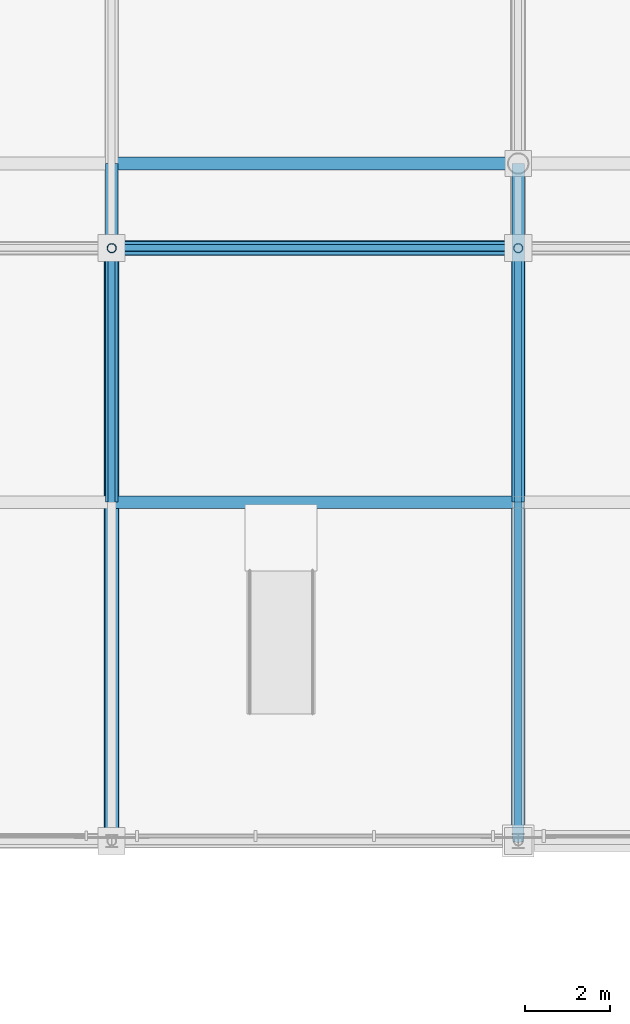
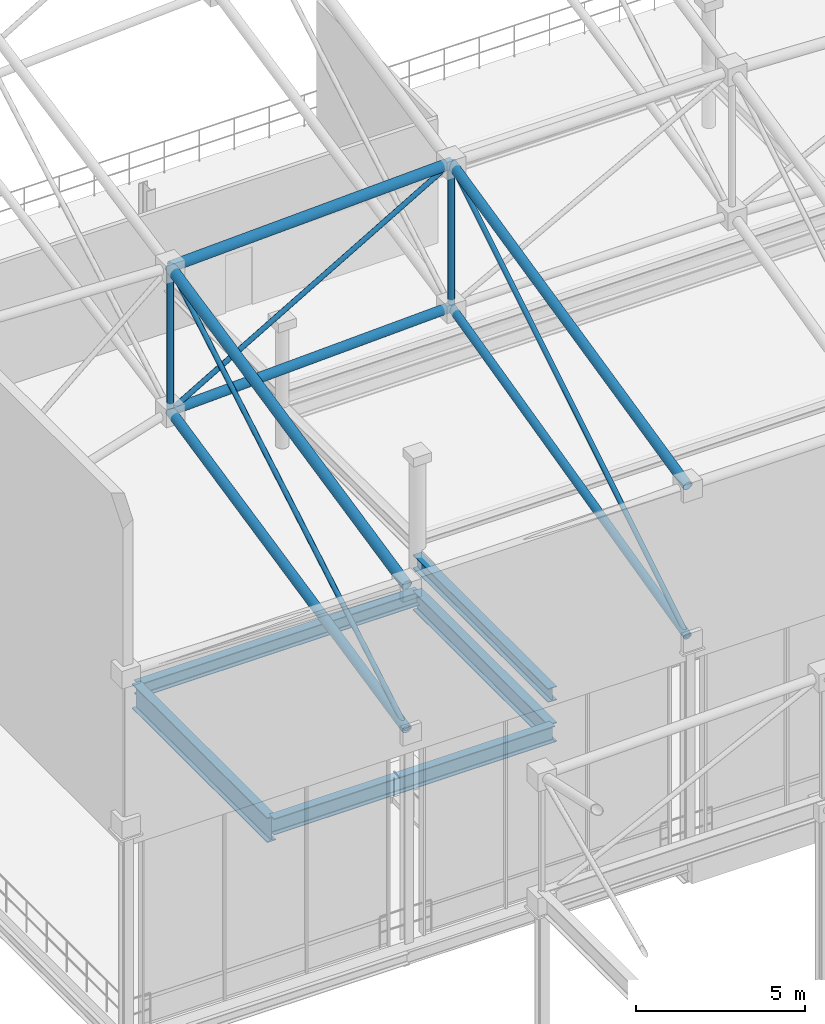
# One storey, part 101 of 193: 11 members, 5 beams.
"""IFC4 building model written with IfcOpenShell, lengths in metres."""

from ifc_helpers import new_model, si_unit, direction, frame, origin, origin_2d, place, context, subcontext, project, spatial, hollow_circle, i_section, extrude, material, material_profile, profile_set, type_object, element, save


model = new_model("IFC4")

# Units and contexts
model_context = context("Model", 3, precision=1e-05, world=origin(), true_north=direction((0.0, 1.0)))
body_context = subcontext(model_context, "Body", "Model", "MODEL_VIEW")
ifc_project = project(units=[si_unit("LENGTHUNIT", "METRE"), si_unit("AREAUNIT", "SQUARE_METRE"), si_unit("VOLUMEUNIT", "CUBIC_METRE"), si_unit("PLANEANGLEUNIT", "RADIAN"), si_unit("MASSUNIT", "GRAM", prefix="KILO")], contexts=[model_context])

# Site, building, storey
site_placement = place(None, origin())
site = spatial("IfcSite", under=ifc_project, at=site_placement, CompositionType="ELEMENT")
building_placement = place(site_placement, origin())
building = spatial("IfcBuilding", under=site, at=building_placement, Name="Danafjord Basin Convention Centre", CompositionType="ELEMENT")
storey_placement = place(building_placement, frame((0.0, 0.0, 11.39990234375)))
storey = spatial("IfcBuildingStorey", under=building, at=storey_placement, Name="L02", CompositionType="ELEMENT", Elevation=11.39990234375)

# Beams
ifc_material = material(Name="Steel S355", Category="steel")
ifc_material_profile_1 = material_profile(ifc_material, i_section(OverallWidth=0.300048828125, OverallDepth=0.489990234375, WebThickness=0.011962890625, FlangeThickness=0.02294921875, FilletRadius=0.027099609375, at=origin_2d()), Name="HEA 500")
ifc_profile_set_1 = profile_set([ifc_material_profile_1], Name="Steel S355")
beam_type_1 = type_object("IfcBeamType", Name="BEAM-BM-HEA500", PredefinedType="BEAM", material=ifc_profile_set_1)
beam_1_placement = place(storey_placement, frame((144.0, 104.0, -0.60498046875), z_axis=(1.0, 0.0, 0.0), x_axis=(0.0, 1.0, 0.0)))
element("IfcBeam", 1, at=beam_1_placement, inside=storey, type_object=beam_type_1, Name="L02 girder BM-HEA500", PredefinedType="BEAM", context=body_context, shape_type="SweptSolid", body=[
    extrude(i_section(OverallWidth=0.300048828125, OverallDepth=0.489990234375, WebThickness=0.011962890625, FlangeThickness=0.02294921875, FilletRadius=0.027099609375, at=origin_2d()), origin(), (0.0, 0.0, 1.0), 9.60009765625),
])
ifc_material_profile_2 = material_profile(ifc_material, i_section(OverallWidth=0.300048828125, OverallDepth=0.590087890625, WebThickness=0.012939453125, FlangeThickness=0.02490234375, FilletRadius=0.027099609375, at=origin_2d()), Name="HEA 600")
ifc_profile_set_2 = profile_set([ifc_material_profile_2], Name="Steel S355")
beam_type_2 = type_object("IfcBeamType", Name="BEAM-BM-HEA600", PredefinedType="BEAM", material=ifc_profile_set_2)
beam_2_placement = place(storey_placement, frame((144.0, 96.0, -0.65478515625), z_axis=(1.0, 0.0, 0.0), x_axis=(0.0, 1.0, 0.0)))
element("IfcBeam", 2, at=beam_2_placement, inside=storey, type_object=beam_type_2, Name="L02 girder BM-HEA600", PredefinedType="BEAM", context=body_context, shape_type="SweptSolid", body=[
    extrude(i_section(OverallWidth=0.300048828125, OverallDepth=0.590087890625, WebThickness=0.012939453125, FlangeThickness=0.02490234375, FilletRadius=0.027099609375, at=origin_2d()), origin(), (0.0, 0.0, 1.0), 9.60009765625),
])
ifc_material_profile_3 = material_profile(ifc_material, i_section(OverallWidth=0.300048828125, OverallDepth=0.5, WebThickness=0.014404296875, FlangeThickness=0.028076171875, FilletRadius=0.027099609375, at=origin_2d()), Name="HEB 500")
ifc_profile_set_3 = profile_set([ifc_material_profile_3], Name="Steel S355")
beam_type_3 = type_object("IfcBeamType", Name="BEAM-BM-HEB500", PredefinedType="BEAM", material=ifc_profile_set_3)
beam_3_placement = place(storey_placement, frame((153.60009765625, 96.0, 0.690185546875), z_axis=(0.0, 1.0, 0.0), x_axis=(-1.0, 0.0, 0.0)))
element("IfcBeam", 3, at=beam_3_placement, inside=storey, type_object=beam_type_3, Name="Balcony tier carrier girder", PredefinedType="BEAM", context=body_context, shape_type="SweptSolid", body=[
    extrude(i_section(OverallWidth=0.300048828125, OverallDepth=0.5, WebThickness=0.014404296875, FlangeThickness=0.028076171875, FilletRadius=0.027099609375, at=origin_2d()), origin(), (0.0, 0.0, 1.0), 8.0),
])
ifc_material_profile_4 = material_profile(ifc_material, i_section(OverallWidth=0.300048828125, OverallDepth=0.699951171875, WebThickness=0.01708984375, FlangeThickness=0.031982421875, FilletRadius=0.027099609375, at=origin_2d()), Name="HEB 700")
ifc_profile_set_4 = profile_set([ifc_material_profile_4], Name="Steel S355")
beam_type_4 = type_object("IfcBeamType", Name="BEAM-BM-HEB700", PredefinedType="BEAM", material=ifc_profile_set_4)
beam_4_placement = place(storey_placement, frame((153.60009765625, 96.0, -0.7099609375), z_axis=(0.0, 1.0, 0.0), x_axis=(-1.0, 0.0, 0.0)))
element("IfcBeam", 4, at=beam_4_placement, inside=storey, type_object=beam_type_4, Name="L02 transverse girder BM-HEB700", PredefinedType="BEAM", context=body_context, shape_type="SweptSolid", body=[
    extrude(i_section(OverallWidth=0.300048828125, OverallDepth=0.699951171875, WebThickness=0.01708984375, FlangeThickness=0.031982421875, FilletRadius=0.027099609375, at=origin_2d()), origin(), (0.0, 0.0, 1.0), 8.0),
])
ifc_material_profile_5 = material_profile(ifc_material, i_section(OverallWidth=0.300048828125, OverallDepth=0.89990234375, WebThickness=0.0185546875, FlangeThickness=0.034912109375, FilletRadius=0.030029296875, at=origin_2d()), Name="HEB 900")
ifc_profile_set_5 = profile_set([ifc_material_profile_5], Name="Steel S355")
beam_type_5 = type_object("IfcBeamType", Name="BEAM-BM-HEB900", PredefinedType="BEAM", material=ifc_profile_set_5)
beam_5_placement = place(storey_placement, frame((144.0, 96.0, -0.809814453125), z_axis=(0.0, 1.0, 0.0), x_axis=(-1.0, 0.0, 0.0)))
element("IfcBeam", 5, at=beam_5_placement, inside=storey, type_object=beam_type_5, Name="L02 transverse girder BM-HEB900", PredefinedType="BEAM", context=body_context, shape_type="SweptSolid", body=[
    extrude(i_section(OverallWidth=0.300048828125, OverallDepth=0.89990234375, WebThickness=0.0185546875, FlangeThickness=0.034912109375, FilletRadius=0.030029296875, at=origin_2d()), origin(), (0.0, 0.0, 1.0), 8.0),
])

# Members
ifc_material_profile_6 = material_profile(ifc_material, hollow_circle(Radius=0.136474609375, WallThickness=0.012451171875, at=origin_2d()), Name="CHS 273.0x12.5")
ifc_profile_set_6 = profile_set([ifc_material_profile_6], Name="Steel S355")
member_type_1 = type_object("IfcMemberType", Name="MEM-CH-CHS273", PredefinedType="CHORD", material=ifc_profile_set_6)
member_1_placement = place(storey_placement, frame((153.60009765625, 88.0, 7.650146484375), z_axis=(0.0, 0.971599626019, 0.236630865949), x_axis=(-1.0, 0.0, 0.0)))
element("IfcMember", 6, at=member_1_placement, inside=storey, type_object=member_type_1, Name="V2 roof truss transverse bottom chord", PredefinedType="CHORD", context=body_context, shape_type="SweptSolid", body=[
    extrude(hollow_circle(Radius=0.136474609375, WallThickness=0.012451171875, at=origin_2d()), origin(), (0.0, 0.0, 1.0), 14.4091796875),
])
ifc_material_profile_7 = material_profile(ifc_material, hollow_circle(Radius=0.161865234375, WallThickness=0.01611328125, at=origin_2d()), Name="CHS 323.9x16.0")
ifc_profile_set_7 = profile_set([ifc_material_profile_7], Name="Steel S355")
member_type_2 = type_object("IfcMemberType", Name="MEM-CH-CHS324", PredefinedType="CHORD", material=ifc_profile_set_7)
member_2_placement = place(storey_placement, frame((144.0, 88.0, 7.650146484375), z_axis=(0.0, 0.977574816631, 0.210588408724), x_axis=(-1.0, 0.0, 0.0)))
element("IfcMember", 7, at=member_2_placement, inside=storey, type_object=member_type_2, Name="V2 roof truss transverse bottom chord", PredefinedType="CHORD", context=body_context, shape_type="SweptSolid", body=[
    extrude(hollow_circle(Radius=0.161865234375, WallThickness=0.01611328125, at=origin_2d()), origin(), (0.0, 0.0, 1.0), 14.321044921875),
])
member_3_placement = place(storey_placement, frame((144.0, 102.0, 10.666015625), z_axis=(0.999159728014, 0.0, 0.040985825779), x_axis=(0.0, 1.0, 0.0)))
element("IfcMember", 8, at=member_3_placement, inside=storey, type_object=member_type_2, Name="V2 roof truss longitudinal bottom chord", PredefinedType="CHORD", context=body_context, shape_type="SweptSolid", body=[
    extrude(hollow_circle(Radius=0.161865234375, WallThickness=0.01611328125, at=origin_2d()), origin(), (0.0, 0.0, 1.0), 9.608154296875),
])
member_4_placement = place(storey_placement, frame((153.60009765625, 88.0, 13.0751953125), z_axis=(0.0, 0.975087736104, 0.221819536786), x_axis=(-1.0, 0.0, 0.0)))
element("IfcMember", 9, at=member_4_placement, inside=storey, type_object=member_type_2, Name="V2 roof truss transverse top chord", PredefinedType="CHORD", context=body_context, shape_type="SweptSolid", body=[
    extrude(hollow_circle(Radius=0.161865234375, WallThickness=0.01611328125, at=origin_2d()), origin(), (0.0, 0.0, 1.0), 14.357666015625),
])
ifc_material_profile_8 = material_profile(ifc_material, hollow_circle(Radius=0.177734375, WallThickness=0.01611328125, at=origin_2d()), Name="CHS 355.6x16.0")
ifc_profile_set_8 = profile_set([ifc_material_profile_8], Name="Steel S355")
member_type_3 = type_object("IfcMemberType", Name="MEM-CH-CHS355", PredefinedType="CHORD", material=ifc_profile_set_8)
member_5_placement = place(storey_placement, frame((144.0, 88.0, 12.85009765625), z_axis=(0.0, 0.977571306998, 0.210604700172), x_axis=(-1.0, 0.0, 0.0)))
element("IfcMember", 10, at=member_5_placement, inside=storey, type_object=member_type_3, Name="V2 roof truss transverse top chord", PredefinedType="CHORD", context=body_context, shape_type="SweptSolid", body=[
    extrude(hollow_circle(Radius=0.177734375, WallThickness=0.01611328125, at=origin_2d()), origin(), (0.0, 0.0, 1.0), 14.3212890625),
])
member_6_placement = place(storey_placement, frame((144.0, 102.0, 15.8662109375), z_axis=(0.999159728014, 0.0, 0.040985825779), x_axis=(0.0, 1.0, 0.0)))
element("IfcMember", 11, at=member_6_placement, inside=storey, type_object=member_type_3, Name="V2 roof truss longitudinal top chord", PredefinedType="CHORD", context=body_context, shape_type="SweptSolid", body=[
    extrude(hollow_circle(Radius=0.177734375, WallThickness=0.01611328125, at=origin_2d()), origin(), (0.0, 0.0, 1.0), 9.608154296875),
])
ifc_material_profile_9 = material_profile(ifc_material, hollow_circle(Radius=0.109619140625, WallThickness=0.010009765625, at=origin_2d()), Name="CHS 219.1x10.0")
ifc_profile_set_9 = profile_set([ifc_material_profile_9], Name="Steel S355")
member_type_4 = type_object("IfcMemberType", Name="MEM-ST-CHS219", PredefinedType="STRUT", material=ifc_profile_set_9)
for number, where, z_axis, x_axis, name in (
    (12, (144.0, 102.0, 10.666015625), (0.0, 0.0, 1.0), (1.0, 0.0, 0.0), "V2 roof truss vertical strut"),
    (13, (153.60009765625, 102.0, 11.059814453125), (0.0, 0.0, 1.0), (1.0, 0.0, 0.0), "V2 roof truss vertical strut"),
):
    element("IfcMember", number, at=place(storey_placement, frame(where, z_axis=z_axis, x_axis=x_axis)), inside=storey, type_object=member_type_4, Name=name, PredefinedType="STRUT", context=body_context, shape_type="SweptSolid", body=[
        extrude(hollow_circle(Radius=0.109619140625, WallThickness=0.010009765625, at=origin_2d()), origin(), (0.0, 0.0, 1.0), 5.2001953125),
    ])
ifc_material_profile_10 = material_profile(ifc_material, hollow_circle(Radius=0.084228515625, WallThickness=0.008056640625, at=origin_2d()), Name="CHS 168.3x8.0")
ifc_profile_set_10 = profile_set([ifc_material_profile_10], Name="Steel S355")
member_type_5 = type_object("IfcMemberType", Name="MEM-WB-CHS168", PredefinedType="MEMBER", material=ifc_profile_set_10)
member_7_placement = place(storey_placement, frame((144.0, 88.0, 7.650146484375), z_axis=(0.0, 0.862451465238, 0.506139773292), x_axis=(-1.0, 0.0, 0.0)))
element("IfcMember", 14, at=member_7_placement, inside=storey, type_object=member_type_5, Name="V2 space-frame transverse web", PredefinedType="MEMBER", context=body_context, shape_type="SweptSolid", body=[
    extrude(hollow_circle(Radius=0.084228515625, WallThickness=0.008056640625, at=origin_2d()), origin(), (0.0, 0.0, 1.0), 16.23291015625),
])
member_8_placement = place(storey_placement, frame((144.0, 102.0, 10.666015625), z_axis=(0.864016293861, 0.0, 0.503463845716), x_axis=(0.0, 1.0, 0.0)))
element("IfcMember", 15, at=member_8_placement, inside=storey, type_object=member_type_5, Name="V2 space-frame longitudinal web", PredefinedType="MEMBER", context=body_context, shape_type="SweptSolid", body=[
    extrude(hollow_circle(Radius=0.084228515625, WallThickness=0.008056640625, at=origin_2d()), origin(), (0.0, 0.0, 1.0), 11.111083984375),
])
member_9_placement = place(storey_placement, frame((153.60009765625, 88.0, 7.650146484375), z_axis=(0.0, 0.851808227972, 0.523853741763), x_axis=(-1.0, 0.0, 0.0)))
element("IfcMember", 16, at=member_9_placement, inside=storey, type_object=member_type_5, Name="V2 space-frame transverse web", PredefinedType="MEMBER", context=body_context, shape_type="SweptSolid", body=[
    extrude(hollow_circle(Radius=0.084228515625, WallThickness=0.008056640625, at=origin_2d()), origin(), (0.0, 0.0, 1.0), 16.435546875),
])

save(model, "model.ifc")
